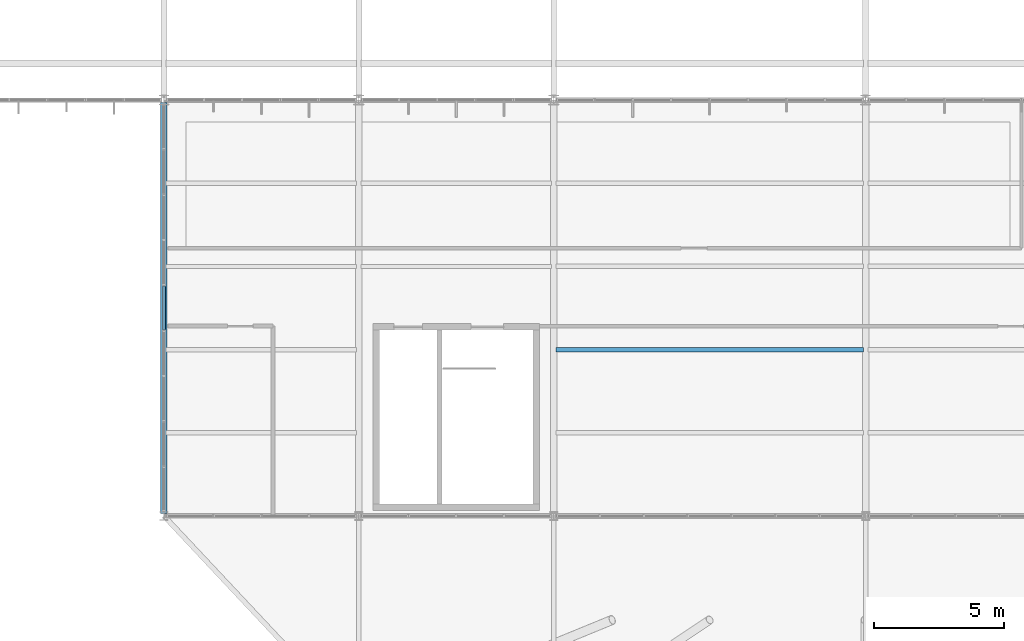
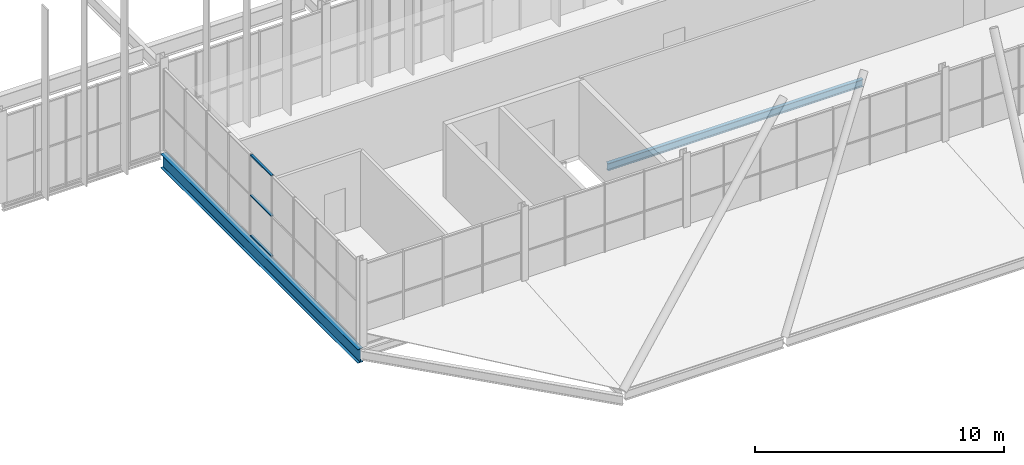
# One storey, part 175 of 324: 3 members, 2 beams, 1 element without a shape of its own.
"""IFC4 building model written with IfcOpenShell, lengths in metres."""

from ifc_helpers import new_model, si_unit, direction, frame, origin, origin_2d, place, context, subcontext, project, spatial, hollow_rectangle, i_section, extrude, material, layer, layer_set, material_profile, profile_set, type_object, element, aggregate, save


model = new_model("IFC4")

# Units and contexts
model_context = context("Model", 3, precision=1e-05, world=origin(), true_north=direction((0.0, 1.0)))
body_context = subcontext(model_context, "Body", "Model", "MODEL_VIEW")
ifc_project = project(units=[si_unit("LENGTHUNIT", "METRE"), si_unit("AREAUNIT", "SQUARE_METRE"), si_unit("VOLUMEUNIT", "CUBIC_METRE"), si_unit("PLANEANGLEUNIT", "RADIAN"), si_unit("MASSUNIT", "GRAM", prefix="KILO")], contexts=[model_context])

# Site, building, storey
site_placement = place(None, origin())
site = spatial("IfcSite", under=ifc_project, at=site_placement, CompositionType="ELEMENT")
building_placement = place(site_placement, origin())
building = spatial("IfcBuilding", under=site, at=building_placement, Name="Solvenia Promenade Tram Depot", CompositionType="ELEMENT")
storey_placement = place(building_placement, frame((0.0, 0.0, 4.5)))
storey = spatial("IfcBuildingStorey", under=building, at=storey_placement, Name="L01", CompositionType="ELEMENT", Elevation=4.5)

# Curtain wall, members
ifc_material_1 = material(Name="Anodized aluminium AW-6063 T6", Category="aluminium")
ifc_layer = layer(ifc_material_1, 0.179931640625, Name="Anodized aluminium AW-6063 T6", Category="aluminium")
ifc_layer_set = layer_set([ifc_layer], Name="Anodized aluminium AW-6063 T6")
curtain_wall_type = type_object("IfcCurtainWallType", Name="CW-Prom-1800", PredefinedType="NOTDEFINED", material=ifc_layer_set)
curtain_wall_placement = place(storey_placement, origin())
curtain_wall = element("IfcCurtainWall", 1, at=curtain_wall_placement, inside=storey, type_object=curtain_wall_type, Name="Curtain Wall CW-V5W-L01", PredefinedType="NOTDEFINED")
ifc_material_profile_1 = material_profile(ifc_material_1, hollow_rectangle(XDim=0.110107421875, YDim=0.054931640625, WallThickness=0.00390625, at=origin_2d()), Name="ALU-T4", Category="aluminium")
ifc_profile_set_1 = profile_set([ifc_material_profile_1], Name="Anodized aluminium AW-6063 T6")
member_type = type_object("IfcMemberType", Name="CWT-Transom-4", PredefinedType="USERDEFINED", material=ifc_profile_set_1)
member_1_placement = place(storey_placement, frame((135.0, 15.1552734375, 0.027587890625), z_axis=(0.0, 1.0, 0.0), x_axis=(-1.0, 0.0, 0.0)))
member_1 = element("IfcMember", 2, at=member_1_placement, type_object=member_type, Name="CW-9 transom 5.1", ObjectType="TRANSOM", PredefinedType="USERDEFINED", context=body_context, shape_type="SweptSolid", body=[
    extrude(hollow_rectangle(XDim=0.110107421875, YDim=0.054931640625, WallThickness=0.00390625, at=origin_2d()), origin(), (0.0, 0.0, 1.0), 1.689453125),
])
member_2_placement = place(storey_placement, frame((135.0, 15.1552734375, 2.0), z_axis=(0.0, 1.0, 0.0), x_axis=(-1.0, 0.0, 0.0)))
member_2 = element("IfcMember", 3, at=member_2_placement, type_object=member_type, Name="CW-9 transom 5.2", ObjectType="TRANSOM", PredefinedType="USERDEFINED", context=body_context, shape_type="SweptSolid", body=[
    extrude(hollow_rectangle(XDim=0.110107421875, YDim=0.054931640625, WallThickness=0.00390625, at=origin_2d()), origin(), (0.0, 0.0, 1.0), 1.689453125),
])
member_3_placement = place(storey_placement, frame((135.0, 15.1552734375, 3.972412109375), z_axis=(0.0, 1.0, 0.0), x_axis=(-1.0, 0.0, 0.0)))
member_3 = element("IfcMember", 4, at=member_3_placement, type_object=member_type, Name="CW-9 transom 5.3", ObjectType="TRANSOM", PredefinedType="USERDEFINED", context=body_context, shape_type="SweptSolid", body=[
    extrude(hollow_rectangle(XDim=0.110107421875, YDim=0.054931640625, WallThickness=0.00390625, at=origin_2d()), origin(), (0.0, 0.0, 1.0), 1.689453125),
])
aggregate(curtain_wall, [member_1, member_2, member_3])

# Beams
ifc_material_2 = material(Name="Structural steel ASTM A992 Gr. 50", Category="steel")
ifc_material_profile_2 = material_profile(ifc_material_2, i_section(OverallWidth=0.25390625, OverallDepth=0.68408203125, WebThickness=0.012451171875, FlangeThickness=0.018798828125, FilletRadius=0.01611328125, at=origin_2d()), Name="W690x140", Category="steel")
ifc_profile_set_2 = profile_set([ifc_material_profile_2], Name="Structural steel ASTM A992 Gr. 50")
beam_type_1 = type_object("IfcBeamType", Name="Gird-W690x140", PredefinedType="BEAM", material=ifc_profile_set_2)
beam_1_placement = place(storey_placement, frame((135.0, 8.0849609375, -0.56201171875), z_axis=(0.0, 1.0, 0.0), x_axis=(-1.0, 0.0, 0.0)))
element("IfcBeam", 5, at=beam_1_placement, inside=storey, type_object=beam_type_1, Name="Transverse Girder BM-L01-0424", PredefinedType="BEAM", context=body_context, shape_type="SweptSolid", body=[
    extrude(i_section(OverallWidth=0.25390625, OverallDepth=0.68408203125, WebThickness=0.012451171875, FlangeThickness=0.018798828125, FilletRadius=0.01611328125, at=origin_2d()), origin(), (0.0, 0.0, 1.0), 15.830078125),
])
ifc_material_profile_3 = material_profile(ifc_material_2, i_section(OverallWidth=0.172119140625, OverallDepth=0.35791015625, WebThickness=0.0078125, FlangeThickness=0.01318359375, FilletRadius=0.010986328125, at=origin_2d()), Name="W360x57", Category="steel")
ifc_profile_set_3 = profile_set([ifc_material_profile_3], Name="Structural steel ASTM A992 Gr. 50")
beam_type_2 = type_object("IfcBeamType", Name="Joist-W360x57", PredefinedType="JOIST", material=ifc_profile_set_3)
beam_2_placement = place(storey_placement, frame((150.0849609375, 14.39990234375, -0.39892578125), z_axis=(1.0, 0.0, 0.0), x_axis=(0.0, 1.0, 0.0)))
element("IfcBeam", 6, at=beam_2_placement, inside=storey, type_object=beam_type_2, Name="Secondary Floor Joist BM-L01-0437", PredefinedType="JOIST", context=body_context, shape_type="SweptSolid", body=[
    extrude(i_section(OverallWidth=0.172119140625, OverallDepth=0.35791015625, WebThickness=0.0078125, FlangeThickness=0.01318359375, FilletRadius=0.010986328125, at=origin_2d()), origin(), (0.0, 0.0, 1.0), 11.830078125),
])

save(model, "model.ifc")
